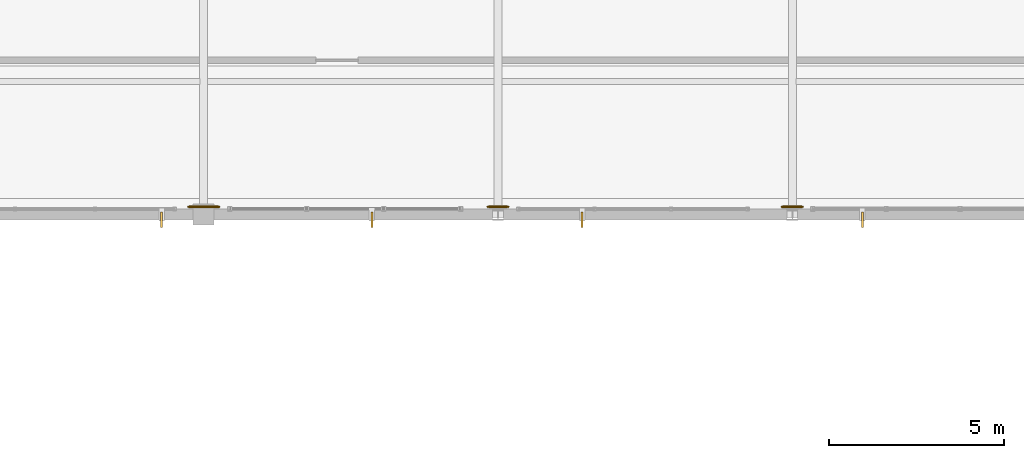
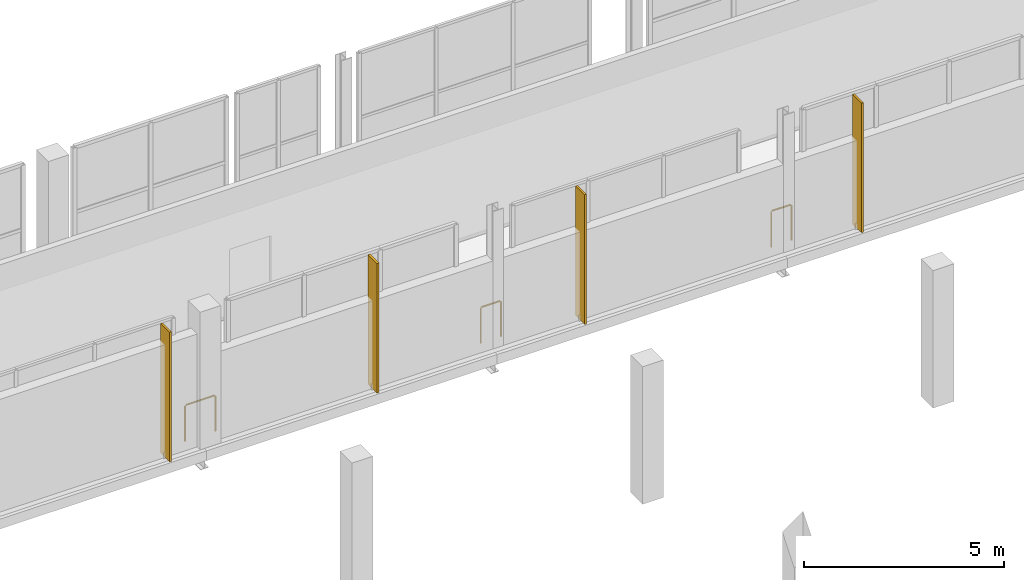
# One storey, part 147 of 151: 4 shading devices, 3 railings.
"""IFC4 building model written with IfcOpenShell, lengths in metres."""

from ifc_helpers import new_model, si_unit, direction, frame, origin, origin_2d, place, context, subcontext, project, spatial, rectangle, circle, extrude, material, type_object, element, save


model = new_model("IFC4")

# Units and contexts
model_context = context("Model", 3, precision=1e-05, world=origin(), true_north=direction((0.0, 1.0)))
body_context = subcontext(model_context, "Body", "Model", "MODEL_VIEW")
ifc_project = project(units=[si_unit("LENGTHUNIT", "METRE"), si_unit("AREAUNIT", "SQUARE_METRE"), si_unit("VOLUMEUNIT", "CUBIC_METRE"), si_unit("PLANEANGLEUNIT", "RADIAN"), si_unit("MASSUNIT", "GRAM", prefix="KILO")], contexts=[model_context])

# Site, building, storey
site_placement = place(None, origin())
site = spatial("IfcSite", under=ifc_project, at=site_placement, CompositionType="ELEMENT")
building_placement = place(site_placement, origin())
building = spatial("IfcBuilding", under=site, at=building_placement, Name="Zuvorla Pavilion Media Centre", CompositionType="ELEMENT")
storey_placement = place(building_placement, frame((0.0, 0.0, 13.800048828125)))
storey = spatial("IfcBuildingStorey", under=building, at=storey_placement, Name="L03", CompositionType="ELEMENT", Elevation=13.800048828125)

# Railings
ifc_material_1 = material(Name="Powder-coated steel balustrade guard", Category="steel")
railing_type = type_object("IfcRailingType", Name="RL-INT-GRD", PredefinedType="BALUSTRADE", material=ifc_material_1)
railing_1_placement = place(storey_placement, frame((134.294677734375, 44.219970703125, 0.0)))
element("IfcRailing", 1, at=railing_1_placement, inside=storey, type_object=railing_type, Name="L03 slab edge guard 89", PredefinedType="BALUSTRADE", context=body_context, shape_type="SweptSolid", body=[
    extrude(circle(Radius=0.02392578125, at=origin_2d()), frame((-0.02880859375, 0.0, 1.09619140625), z_axis=(-1.0, 0.0, 0.0), x_axis=(0.0, -1.0, 0.0)), (0.0, 0.0, 1.0), 0.53173828125),
    extrude(circle(Radius=0.02099609375, at=origin_2d()), origin(), (0.0, 0.0, 1.0), 1.070068359375),
    extrude(circle(Radius=0.02099609375, at=origin_2d()), frame((-0.58935546875, 0.0, 0.0)), (0.0, 0.0, 1.0), 1.070068359375),
])
railing_2_placement = place(storey_placement, frame((125.89453125, 44.219970703125, 0.0)))
element("IfcRailing", 2, at=railing_2_placement, inside=storey, type_object=railing_type, Name="L03 slab edge guard 90", PredefinedType="BALUSTRADE", context=body_context, shape_type="SweptSolid", body=[
    extrude(circle(Radius=0.02392578125, at=origin_2d()), frame((-0.02880859375, 0.0, 1.09619140625), z_axis=(-1.0, 0.0, 0.0), x_axis=(0.0, -1.0, 0.0)), (0.0, 0.0, 1.0), 0.531494140625),
    extrude(circle(Radius=0.02099609375, at=origin_2d()), origin(), (0.0, 0.0, 1.0), 1.070068359375),
    extrude(circle(Radius=0.02099609375, at=origin_2d()), frame((-0.589111328125, 0.0, 0.0)), (0.0, 0.0, 1.0), 1.070068359375),
])
railing_3_placement = place(storey_placement, frame((117.639892578125, 44.219970703125, 0.0)))
element("IfcRailing", 3, at=railing_3_placement, inside=storey, type_object=railing_type, Name="L03 slab edge guard 91", PredefinedType="BALUSTRADE", context=body_context, shape_type="SweptSolid", body=[
    extrude(circle(Radius=0.02392578125, at=origin_2d()), frame((-0.02880859375, 0.0, 1.09619140625), z_axis=(-1.0, 0.0, 0.0), x_axis=(0.0, -1.0, 0.0)), (0.0, 0.0, 1.0), 0.822265625),
    extrude(circle(Radius=0.02099609375, at=origin_2d()), origin(), (0.0, 0.0, 1.0), 1.070068359375),
    extrude(circle(Radius=0.02099609375, at=origin_2d()), frame((-0.8798828125, 0.0, 0.0)), (0.0, 0.0, 1.0), 1.070068359375),
])

# Shading devices
ifc_material_2 = material(Name="Anodised aluminium aerofoil brise-soleil fin", Category="aluminium")
shading_device_type = type_object("IfcShadingDeviceType", Name="SHD-FIN-ALU", PredefinedType="USERDEFINED", material=ifc_material_2)
for number, where, z_axis, x_axis, name in (
    (4, (116.0, 43.85009765625, 0.0), (0.0, 0.0, 1.0), (1.0, 0.0, 0.0), "L03 aluminium solar fin 19"),
    (5, (122.0, 43.85009765625, 0.0), (0.0, 0.0, 1.0), (1.0, 0.0, 0.0), "L03 aluminium solar fin 20"),
    (6, (128.0, 43.85009765625, 0.0), (0.0, 0.0, 1.0), (1.0, 0.0, 0.0), "L03 aluminium solar fin 21"),
    (7, (136.0, 43.85009765625, 0.0), (0.0, 0.0, 1.0), (1.0, 0.0, 0.0), "L03 aluminium solar fin 22"),
):
    element("IfcShadingDevice", number, at=place(storey_placement, frame(where, z_axis=z_axis, x_axis=x_axis)), inside=storey, type_object=shading_device_type, Name=name, ObjectType="FIN", PredefinedType="USERDEFINED", context=body_context, shape_type="SweptSolid", body=[
        extrude(rectangle(XDim=0.06005859375, YDim=0.449951171875, at=origin_2d()), origin(), (0.0, 0.0, 1.0), 3.9599609375),
    ])

save(model, "model.ifc")
